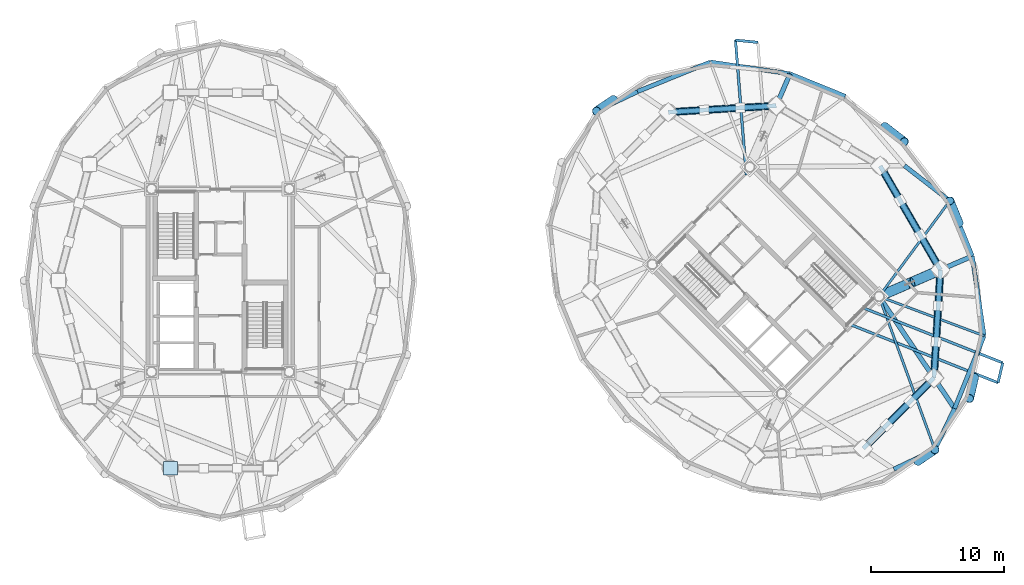
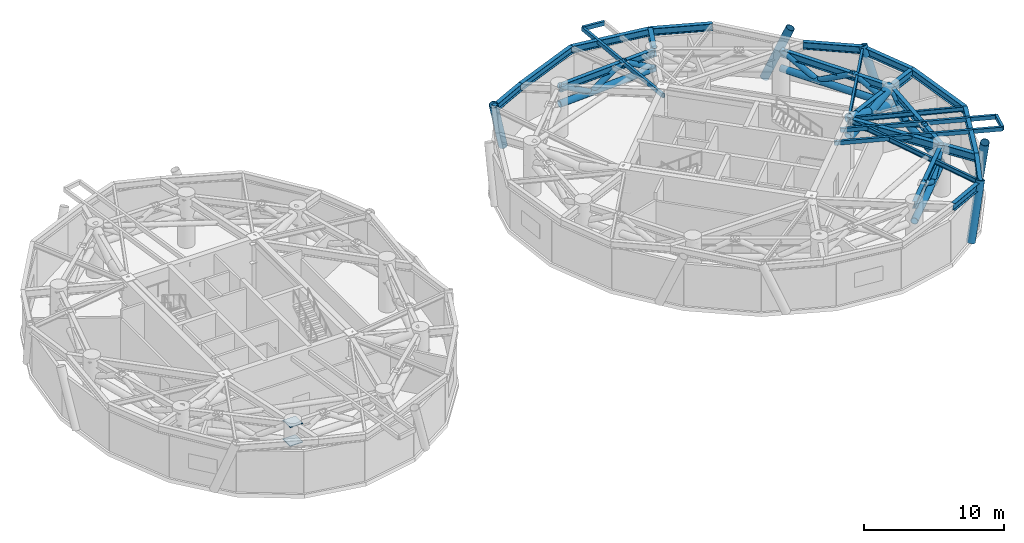
# One storey, part 5 of 16: 25 beams, 23 members, 2 plates.
"""IFC4 building model written with IfcOpenShell, lengths in metres."""

from ifc_helpers import new_model, si_unit, direction, frame, origin, origin_2d, place, context, subcontext, project, spatial, rectangle, hollow_rectangle, hollow_circle, i_section, extrude, source, transform, mapped, material, layer, layer_set, material_profile, profile_set, type_object, element, save


model = new_model("IFC4")

# Units and contexts
model_context = context("Model", 3, precision=1e-05, world=origin(), true_north=direction((0.0, 1.0)))
body_context = subcontext(model_context, "Body", "Model", "MODEL_VIEW")
ifc_project = project(units=[si_unit("LENGTHUNIT", "METRE"), si_unit("AREAUNIT", "SQUARE_METRE"), si_unit("VOLUMEUNIT", "CUBIC_METRE"), si_unit("PLANEANGLEUNIT", "RADIAN"), si_unit("MASSUNIT", "GRAM", prefix="KILO")], contexts=[model_context])

# Site, building, storey
site_placement = place(None, origin())
site = spatial("IfcSite", under=ifc_project, at=site_placement, CompositionType="ELEMENT")
building_placement = place(site_placement, origin())
building = spatial("IfcBuilding", under=site, at=building_placement, Name="Cununo Teusaquillo Station Towers", CompositionType="ELEMENT")
storey_placement = place(building_placement, frame((0.0, 0.0, 147.10009765625)))
storey = spatial("IfcBuildingStorey", under=building, at=storey_placement, Name="L46", CompositionType="ELEMENT", Elevation=147.10009765625)

# Beams
ifc_material_1 = material(Name="Steel EN 10025-2 S355J2", Category="steel")
ifc_material_profile_1 = material_profile(ifc_material_1, hollow_rectangle(XDim=0.199951171875, YDim=0.35009765625, WallThickness=0.013916015625, at=origin_2d()), Name="RHS 350x200x14")
ifc_profile_set_1 = profile_set([ifc_material_profile_1], Name="Steel EN 10025-2 S355J2")
beam_type_1 = type_object("IfcBeamType", Name="BM-BAL-CANT", PredefinedType="BEAM", material=ifc_profile_set_1)
beam_1_placement = place(storey_placement, frame((56.03515625, 32.439697265625, 4.10498046875), z_axis=(-0.079465216198, 0.996837639445, 0.0), x_axis=(-0.996837639445, -0.079465216198, 0.0)))
element("IfcBeam", 1, at=beam_1_placement, inside=storey, type_object=beam_type_1, Name="L46 Tower B Balcony Cantilever Bracket 1B", PredefinedType="BEAM", context=body_context, shape_type="SweptSolid", body=[
    extrude(hollow_rectangle(XDim=0.199951171875, YDim=0.35009765625, WallThickness=0.013916015625, at=origin_2d()), origin(), (0.0, 0.0, 1.0), 10.154052734375),
])
beam_2_placement = place(storey_placement, frame((63.662109375, 21.257568359375, 4.10498046875), z_axis=(0.93054889278, -0.366167663982, 0.0), x_axis=(0.366167663982, 0.93054889278, 0.0)))
element("IfcBeam", 2, at=beam_2_placement, inside=storey, type_object=beam_type_1, Name="L46 Tower B Balcony Cantilever Bracket 2A", PredefinedType="BEAM", context=body_context, shape_type="SweptSolid", body=[
    extrude(hollow_rectangle(XDim=0.199951171875, YDim=0.35009765625, WallThickness=0.013916015625, at=origin_2d()), origin(), (0.0, 0.0, 1.0), 12.15087890625),
])
beam_3_placement = place(storey_placement, frame((64.835693359375, 22.43115234375, 4.10498046875), z_axis=(0.930555904619, -0.36614984416, 0.0), x_axis=(0.36614984416, 0.930555904619, 0.0)))
element("IfcBeam", 3, at=beam_3_placement, inside=storey, type_object=beam_type_1, Name="L46 Tower B Balcony Cantilever Bracket 2B", PredefinedType="BEAM", context=body_context, shape_type="SweptSolid", body=[
    extrude(hollow_rectangle(XDim=0.199951171875, YDim=0.35009765625, WallThickness=0.013916015625, at=origin_2d()), origin(), (0.0, 0.0, 1.0), 11.26513671875),
])
ifc_material_2 = material(Name="Steel ASTM A572 Grade 50", Category="steel")
ifc_material_profile_2 = material_profile(ifc_material_2, i_section(OverallWidth=0.180908203125, OverallDepth=0.4169921875, WebThickness=0.010986328125, FlangeThickness=0.018310546875, FilletRadius=0.012939453125, at=origin_2d()), Name="W16X57")
ifc_profile_set_2 = profile_set([ifc_material_profile_2], Name="Steel ASTM A572 Grade 50")
beam_type_2 = type_object("IfcBeamType", Name="BM-JOIST-1", PredefinedType="JOIST", material=ifc_profile_set_2)
beam_4_placement = place(storey_placement, frame((66.024169921875, 23.29443359375, 4.0712890625), z_axis=(0.34241791496, -0.939547748395, 0.0), x_axis=(0.939547748395, 0.34241791496, 0.0)))
element("IfcBeam", 4, at=beam_4_placement, inside=storey, type_object=beam_type_2, Name="L46 Tower B Radial Spandrel Joist V15", PredefinedType="JOIST", context=body_context, shape_type="SweptSolid", body=[
    extrude(i_section(OverallWidth=0.180908203125, OverallDepth=0.4169921875, WebThickness=0.010986328125, FlangeThickness=0.018310546875, FilletRadius=0.012939453125, at=origin_2d()), origin(), (0.0, 0.0, 1.0), 12.25634765625),
])
beam_5_placement = place(storey_placement, frame((66.024169921875, 23.29443359375, 4.0712890625), z_axis=(0.936244635323, -0.351348805076, 0.0), x_axis=(0.351348805076, 0.936244635323, 0.0)))
element("IfcBeam", 5, at=beam_5_placement, inside=storey, type_object=beam_type_2, Name="L46 Tower B Radial Spandrel Joist V17", PredefinedType="JOIST", context=body_context, shape_type="SweptSolid", body=[
    extrude(i_section(OverallWidth=0.180908203125, OverallDepth=0.4169921875, WebThickness=0.010986328125, FlangeThickness=0.018310546875, FilletRadius=0.012939453125, at=origin_2d()), origin(), (0.0, 0.0, 1.0), 8.4287109375),
])
beam_6_placement = place(storey_placement, frame((66.024169921875, 23.29443359375, 4.0712890625), z_axis=(0.594834179272, 0.803848430471, 0.0), x_axis=(-0.803848430471, 0.594834179272, 0.0)))
element("IfcBeam", 6, at=beam_6_placement, inside=storey, type_object=beam_type_2, Name="L46 Tower B Radial Spandrel Joist V19", PredefinedType="JOIST", context=body_context, shape_type="SweptSolid", body=[
    extrude(i_section(OverallWidth=0.180908203125, OverallDepth=0.4169921875, WebThickness=0.010986328125, FlangeThickness=0.018310546875, FilletRadius=0.012939453125, at=origin_2d()), origin(), (0.0, 0.0, 1.0), 8.936767578125),
])
ifc_material_3 = material(Name="Steel ASTM A572 Grade 50", Category="steel")
ifc_material_profile_3 = material_profile(ifc_material_3, i_section(OverallWidth=0.35498046875, OverallDepth=0.696044921875, WebThickness=0.015380859375, FlangeThickness=0.02490234375, FilletRadius=0.01806640625, at=origin_2d()), Name="W27X146")
ifc_profile_set_3 = profile_set([ifc_material_profile_3], Name="Steel ASTM A572 Grade 50")
beam_type_3 = type_object("IfcBeamType", Name="BM-PLNT-G1", PredefinedType="BEAM", material=ifc_profile_set_3)
beam_7_placement = place(storey_placement, frame((58.291015625, 37.63525390625, 3.931884765625), z_axis=(0.397431352311, 0.917631908883, 0.0), x_axis=(-0.917631908883, 0.397431352311, 0.0)))
element("IfcBeam", 7, at=beam_7_placement, inside=storey, type_object=beam_type_3, Name="L46 Tower B Perimeter Overhang Girder 02B", PredefinedType="BEAM", context=body_context, shape_type="SweptSolid", body=[
    extrude(i_section(OverallWidth=0.35498046875, OverallDepth=0.696044921875, WebThickness=0.015380859375, FlangeThickness=0.02490234375, FilletRadius=0.01806640625, at=origin_2d()), origin(), (0.0, 0.0, 1.0), 2.607177734375),
])
beam_8_placement = place(storey_placement, frame((66.024169921875, 23.29443359375, 3.931884765625), z_axis=(0.558570687133, -0.829456923219, 0.0), x_axis=(0.829456923219, 0.558570687133, 0.0)))
element("IfcBeam", 8, at=beam_8_placement, inside=storey, type_object=beam_type_3, Name="L46 Tower B Continuous Overhanging Radial Girder 09", PredefinedType="BEAM", context=body_context, shape_type="SweptSolid", body=[
    extrude(i_section(OverallWidth=0.35498046875, OverallDepth=0.696044921875, WebThickness=0.015380859375, FlangeThickness=0.02490234375, FilletRadius=0.01806640625, at=origin_2d()), origin(), (0.0, 0.0, 1.0), 10.1591796875),
])
beam_9_placement = place(storey_placement, frame((66.024169921875, 23.29443359375, 3.931884765625), z_axis=(0.917655964072, 0.397375806515, 0.0), x_axis=(-0.397375806515, 0.917655964072, 0.0)))
element("IfcBeam", 9, at=beam_9_placement, inside=storey, type_object=beam_type_3, Name="L46 Tower B Continuous Overhanging Radial Girder 10", PredefinedType="BEAM", context=body_context, shape_type="SweptSolid", body=[
    extrude(i_section(OverallWidth=0.35498046875, OverallDepth=0.696044921875, WebThickness=0.015380859375, FlangeThickness=0.02490234375, FilletRadius=0.01806640625, at=origin_2d()), origin(), (0.0, 0.0, 1.0), 7.6318359375),
])
ifc_material_4 = material(Name="Steel ASTM A572 Grade 50", Category="steel")
ifc_material_profile_4 = material_profile(ifc_material_4, i_section(OverallWidth=0.324951171875, OverallDepth=0.615966796875, WebThickness=0.013916015625, FlangeThickness=0.021484375, FilletRadius=0.01611328125, at=origin_2d()), Name="W24X117")
ifc_profile_set_4 = profile_set([ifc_material_profile_4], Name="Steel ASTM A572 Grade 50")
beam_type_4 = type_object("IfcBeamType", Name="BM-PLNT-G2", PredefinedType="BEAM", material=ifc_profile_set_4)
beam_10_placement = place(storey_placement, frame((58.291015625, 37.63525390625, 3.971923828125), z_axis=(-0.998190567048, -0.06012979176, 0.0), x_axis=(0.06012979176, -0.998190567048, 0.0)))
element("IfcBeam", 10, at=beam_10_placement, inside=storey, type_object=beam_type_4, Name="L46 Tower B Structural Column Ring Girder 02", PredefinedType="BEAM", context=body_context, shape_type="SweptSolid", body=[
    extrude(i_section(OverallWidth=0.324951171875, OverallDepth=0.615966796875, WebThickness=0.013916015625, FlangeThickness=0.021484375, FilletRadius=0.01611328125, at=origin_2d()), origin(), (0.0, 0.0, 1.0), 8.132568359375),
])
beam_11_placement = place(storey_placement, frame((64.826904296875, 11.853759765625, 3.971923828125), z_axis=(0.707106781187, 0.707106781187, 0.0), x_axis=(-0.707106781187, 0.707106781187, 0.0)))
element("IfcBeam", 11, at=beam_11_placement, inside=storey, type_object=beam_type_4, Name="L46 Tower B Structural Column Ring Girder 08", PredefinedType="BEAM", context=body_context, shape_type="SweptSolid", body=[
    extrude(i_section(OverallWidth=0.324951171875, OverallDepth=0.615966796875, WebThickness=0.013916015625, FlangeThickness=0.021484375, FilletRadius=0.01611328125, at=origin_2d()), origin(), (0.0, 0.0, 1.0), 7.522705078125),
])
beam_12_placement = place(storey_placement, frame((70.146240234375, 17.173095703125, 3.971923828125), z_axis=(0.06012979176, 0.998190567048, 0.0), x_axis=(-0.998190567048, 0.06012979176, 0.0)))
element("IfcBeam", 12, at=beam_12_placement, inside=storey, type_object=beam_type_4, Name="L46 Tower B Structural Column Ring Girder 09", PredefinedType="BEAM", context=body_context, shape_type="SweptSolid", body=[
    extrude(i_section(OverallWidth=0.324951171875, OverallDepth=0.615966796875, WebThickness=0.013916015625, FlangeThickness=0.021484375, FilletRadius=0.01611328125, at=origin_2d()), origin(), (0.0, 0.0, 1.0), 8.132568359375),
])
beam_13_placement = place(storey_placement, frame((70.63525390625, 25.291015625, 3.971923828125), z_axis=(-0.501311121078, 0.865267103202, 0.0), x_axis=(-0.865267103202, -0.501311121078, 0.0)))
element("IfcBeam", 13, at=beam_13_placement, inside=storey, type_object=beam_type_4, Name="L46 Tower B Structural Column Ring Girder 10", PredefinedType="BEAM", context=body_context, shape_type="SweptSolid", body=[
    extrude(i_section(OverallWidth=0.324951171875, OverallDepth=0.615966796875, WebThickness=0.013916015625, FlangeThickness=0.021484375, FilletRadius=0.01611328125, at=origin_2d()), origin(), (0.0, 0.0, 1.0), 9.032958984375),
])
beam_14_placement = place(storey_placement, frame((63.478271484375, 38.340087890625, 3.971923828125), z_axis=(-0.926380466449, 0.376588942192, 0.0), x_axis=(-0.376588942192, -0.926380466449, 0.0)))
element("IfcBeam", 14, at=beam_14_placement, inside=storey, type_object=beam_type_4, Name="L46 Tower B Spandrel Ring Beam 02", PredefinedType="BEAM", context=body_context, shape_type="SweptSolid", body=[
    extrude(i_section(OverallWidth=0.324951171875, OverallDepth=0.615966796875, WebThickness=0.013916015625, FlangeThickness=0.021484375, FilletRadius=0.01611328125, at=origin_2d()), origin(), (0.0, 0.0, 1.0), 4.48095703125),
])
beam_15_placement = place(storey_placement, frame((59.3271484375, 40.027587890625, 3.971923828125), z_axis=(-0.989205409176, 0.146535519435, 0.0), x_axis=(-0.146535519435, -0.989205409176, 0.0)))
element("IfcBeam", 15, at=beam_15_placement, inside=storey, type_object=beam_type_4, Name="L46 Tower B Spandrel Ring Beam 03", PredefinedType="BEAM", context=body_context, shape_type="SweptSolid", body=[
    extrude(i_section(OverallWidth=0.324951171875, OverallDepth=0.615966796875, WebThickness=0.013916015625, FlangeThickness=0.021484375, FilletRadius=0.01611328125, at=origin_2d()), origin(), (0.0, 0.0, 1.0), 6.0595703125),
])
beam_16_placement = place(storey_placement, frame((53.3330078125, 40.91552734375, 3.971923828125), z_axis=(-0.926667183359, -0.375882869104, 0.0), x_axis=(0.375882869104, -0.926667183359, 0.0)))
element("IfcBeam", 16, at=beam_16_placement, inside=storey, type_object=beam_type_4, Name="L46 Tower B Spandrel Ring Beam 04", PredefinedType="BEAM", context=body_context, shape_type="SweptSolid", body=[
    extrude(i_section(OverallWidth=0.324951171875, OverallDepth=0.615966796875, WebThickness=0.013916015625, FlangeThickness=0.021484375, FilletRadius=0.01611328125, at=origin_2d()), origin(), (0.0, 0.0, 1.0), 5.8974609375),
])
for number, where, z_axis, x_axis, name in (
    (17, (47.867919921875, 38.69873046875, 3.971923828125), (-0.902077503555, -0.431574069634, 0.0), (0.431574069634, -0.902077503555, 0.0), "L46 Tower B Spandrel Ring Beam 05"),
    (18, (67.132080078125, 10.30126953125, 3.971923828125), (0.902077503555, 0.431574069634, 0.0), (-0.431574069634, 0.902077503555, 0.0), "L46 Tower B Spandrel Ring Beam 15"),
    (19, (70.220947265625, 11.779052734375, 3.971923828125), (0.431574069634, 0.902077503555, 0.0), (-0.902077503555, 0.431574069634, 0.0), "L46 Tower B Spandrel Ring Beam 16"),
):
    element("IfcBeam", number, at=place(storey_placement, frame(where, z_axis=z_axis, x_axis=x_axis)), inside=storey, type_object=beam_type_4, Name=name, PredefinedType="BEAM", context=body_context, shape_type="SweptSolid", body=[
        extrude(i_section(OverallWidth=0.324951171875, OverallDepth=0.615966796875, WebThickness=0.013916015625, FlangeThickness=0.021484375, FilletRadius=0.01611328125, at=origin_2d()), origin(), (0.0, 0.0, 1.0), 3.424072265625),
    ])
beam_17_placement = place(storey_placement, frame((71.69873046875, 14.867919921875, 3.971923828125), z_axis=(0.375882869104, 0.926667183359, 0.0), x_axis=(-0.926667183359, 0.375882869104, 0.0)))
element("IfcBeam", 20, at=beam_17_placement, inside=storey, type_object=beam_type_4, Name="L46 Tower B Spandrel Ring Beam 17", PredefinedType="BEAM", context=body_context, shape_type="SweptSolid", body=[
    extrude(i_section(OverallWidth=0.324951171875, OverallDepth=0.615966796875, WebThickness=0.013916015625, FlangeThickness=0.021484375, FilletRadius=0.01611328125, at=origin_2d()), origin(), (0.0, 0.0, 1.0), 5.8974609375),
])
beam_18_placement = place(storey_placement, frame((73.91552734375, 20.3330078125, 3.971923828125), z_axis=(-0.146535519435, 0.989205409176, 0.0), x_axis=(-0.989205409176, -0.146535519435, 0.0)))
element("IfcBeam", 21, at=beam_18_placement, inside=storey, type_object=beam_type_4, Name="L46 Tower B Spandrel Ring Beam 18", PredefinedType="BEAM", context=body_context, shape_type="SweptSolid", body=[
    extrude(i_section(OverallWidth=0.324951171875, OverallDepth=0.615966796875, WebThickness=0.013916015625, FlangeThickness=0.021484375, FilletRadius=0.01611328125, at=origin_2d()), origin(), (0.0, 0.0, 1.0), 6.0595703125),
])
beam_19_placement = place(storey_placement, frame((73.027587890625, 26.3271484375, 3.971923828125), z_axis=(-0.376588942192, 0.926380466449, 0.0), x_axis=(-0.926380466449, -0.376588942192, 0.0)))
element("IfcBeam", 22, at=beam_19_placement, inside=storey, type_object=beam_type_4, Name="L46 Tower B Spandrel Ring Beam 19", PredefinedType="BEAM", context=body_context, shape_type="SweptSolid", body=[
    extrude(i_section(OverallWidth=0.324951171875, OverallDepth=0.615966796875, WebThickness=0.013916015625, FlangeThickness=0.021484375, FilletRadius=0.01611328125, at=origin_2d()), origin(), (0.0, 0.0, 1.0), 4.48095703125),
])
beam_20_placement = place(storey_placement, frame((71.340087890625, 30.478271484375, 3.971923828125), z_axis=(-0.789900716386, 0.613234749711, 0.0), x_axis=(-0.613234749711, -0.789900716386, 0.0)))
element("IfcBeam", 23, at=beam_20_placement, inside=storey, type_object=beam_type_4, Name="L46 Tower B Spandrel Ring Beam 20", PredefinedType="BEAM", context=body_context, shape_type="SweptSolid", body=[
    extrude(i_section(OverallWidth=0.324951171875, OverallDepth=0.615966796875, WebThickness=0.013916015625, FlangeThickness=0.021484375, FilletRadius=0.01611328125, at=origin_2d()), origin(), (0.0, 0.0, 1.0), 4.3115234375),
])
ifc_material_5 = material(Name="Steel EN 10025-2 S355J2", Category="steel")
ifc_material_profile_5 = material_profile(ifc_material_5, hollow_rectangle(XDim=0.199951171875, YDim=0.35009765625, WallThickness=0.013916015625, at=origin_2d()), Name="RHS 350x200x14")
ifc_profile_set_5 = profile_set([ifc_material_profile_5], Name="Steel EN 10025-2 S355J2")
beam_type_5 = type_object("IfcBeamType", Name="BM-STAIR-TRIM", PredefinedType="BEAM", material=ifc_profile_set_5)
beam_21_placement = place(storey_placement, frame((56.905517578125, 42.3955078125, 4.114990234375), z_axis=(-0.995137076622, 0.098499739753, 0.0), x_axis=(-0.098499739753, -0.995137076622, 0.0)))
element("IfcBeam", 24, at=beam_21_placement, inside=storey, type_object=beam_type_5, Name="L46 Tower B Balcony Edge Trimmer Beam 1", PredefinedType="BEAM", context=body_context, shape_type="SweptSolid", body=[
    extrude(hollow_rectangle(XDim=0.199951171875, YDim=0.35009765625, WallThickness=0.013916015625, at=origin_2d()), origin(), (0.0, 0.0, 1.0), 1.685546875),
])
beam_22_placement = place(storey_placement, frame((74.968994140625, 16.808349609375, 4.114990234375), z_axis=(0.227269752297, 0.973831843642, 0.0), x_axis=(-0.973831843642, 0.227269752297, 0.0)))
element("IfcBeam", 25, at=beam_22_placement, inside=storey, type_object=beam_type_5, Name="L46 Tower B Balcony Edge Trimmer Beam 2", PredefinedType="BEAM", context=body_context, shape_type="SweptSolid", body=[
    extrude(hollow_rectangle(XDim=0.199951171875, YDim=0.35009765625, WallThickness=0.013916015625, at=origin_2d()), origin(), (0.0, 0.0, 1.0), 1.538330078125),
])

# Members
ifc_material_6 = material(Name="Steel EN 10025-2 S355J2", Category="steel")
ifc_material_profile_6 = material_profile(ifc_material_6, hollow_circle(Radius=0.279541015625, WallThickness=0.02001953125, at=origin_2d()), Name="CHS 559x20")
ifc_profile_set_6 = profile_set([ifc_material_profile_6], Name="Steel EN 10025-2 S355J2")
member_type_1 = type_object("IfcMemberType", Name="MBR-BELT-CH", PredefinedType="CHORD", material=ifc_profile_set_6)
member_1_placement = place(storey_placement, frame((58.291015625, 37.63525390625, 2.579833984375), z_axis=(-0.998190567048, -0.06012979176, 0.0), x_axis=(0.06012979176, -0.998190567048, 0.0)))
element("IfcMember", 26, at=member_1_placement, inside=storey, type_object=member_type_1, Name="L46 Tower B Belt Truss Lower Chord 02", PredefinedType="CHORD", context=body_context, shape_type="SweptSolid", body=[
    extrude(hollow_circle(Radius=0.279541015625, WallThickness=0.02001953125, at=origin_2d()), origin(), (0.0, 0.0, 1.0), 8.132568359375),
])
member_2_placement = place(storey_placement, frame((64.826904296875, 11.853759765625, 2.579833984375), z_axis=(0.707106781187, 0.707106781187, 0.0), x_axis=(-0.707106781187, 0.707106781187, 0.0)))
element("IfcMember", 27, at=member_2_placement, inside=storey, type_object=member_type_1, Name="L46 Tower B Belt Truss Lower Chord 08", PredefinedType="CHORD", context=body_context, shape_type="SweptSolid", body=[
    extrude(hollow_circle(Radius=0.279541015625, WallThickness=0.02001953125, at=origin_2d()), origin(), (0.0, 0.0, 1.0), 7.522705078125),
])
member_3_placement = place(storey_placement, frame((70.146240234375, 17.173095703125, 2.579833984375), z_axis=(0.06012979176, 0.998190567048, 0.0), x_axis=(-0.998190567048, 0.06012979176, 0.0)))
element("IfcMember", 28, at=member_3_placement, inside=storey, type_object=member_type_1, Name="L46 Tower B Belt Truss Lower Chord 09", PredefinedType="CHORD", context=body_context, shape_type="SweptSolid", body=[
    extrude(hollow_circle(Radius=0.279541015625, WallThickness=0.02001953125, at=origin_2d()), origin(), (0.0, 0.0, 1.0), 8.132568359375),
])
member_4_placement = place(storey_placement, frame((70.63525390625, 25.291015625, 2.579833984375), z_axis=(-0.501311121078, 0.865267103202, 0.0), x_axis=(-0.865267103202, -0.501311121078, 0.0)))
element("IfcMember", 29, at=member_4_placement, inside=storey, type_object=member_type_1, Name="L46 Tower B Belt Truss Lower Chord 10", PredefinedType="CHORD", context=body_context, shape_type="SweptSolid", body=[
    extrude(hollow_circle(Radius=0.279541015625, WallThickness=0.02001953125, at=origin_2d()), origin(), (0.0, 0.0, 1.0), 9.032958984375),
])
ifc_material_7 = material(Name="Steel EN 10025-2 S355J2", Category="steel")
ifc_material_profile_7 = material_profile(ifc_material_7, hollow_circle(Radius=0.228515625, WallThickness=0.01611328125, at=origin_2d()), Name="CHS 457x16")
ifc_profile_set_7 = profile_set([ifc_material_profile_7], Name="Steel EN 10025-2 S355J2")
member_type_2 = type_object("IfcMemberType", Name="MBR-BELT-WB", PredefinedType="BRACE", material=ifc_profile_set_7)
member_5_placement = place(storey_placement, frame((58.291015625, 37.63525390625, 2.579833984375), z_axis=(-0.856819030674, -0.051642615942, 0.513024549991), x_axis=(0.060163308645, -0.998188547466, 0.0)))
element("IfcMember", 30, at=member_5_placement, inside=storey, type_object=member_type_2, Name="L46 Tower B Belt Truss Warren Brace 02A", PredefinedType="BRACE", context=body_context, shape_type="SweptSolid", body=[
    extrude(hollow_circle(Radius=0.228515625, WallThickness=0.01611328125, at=origin_2d()), origin(), (0.0, 0.0, 1.0), 3.157958984375),
])
for number, where, z_axis, x_axis, name in (
    (31, (55.585205078125, 37.47216796875, 4.199951171875), (-0.856843000073, -0.051562096811, -0.512992615345), (0.060068168794, -0.998194277232, 0.0), "L46 Tower B Belt Truss Warren Brace 02B"),
    (32, (52.879150390625, 37.309326171875, 2.579833984375), (-0.856839582173, -0.051639195317, 0.512990569045), (0.060157900347, -0.998188873423, 0.0), "L46 Tower B Belt Truss Warren Brace 02C"),
):
    element("IfcMember", number, at=place(storey_placement, frame(where, z_axis=z_axis, x_axis=x_axis)), inside=storey, type_object=member_type_2, Name=name, PredefinedType="BRACE", context=body_context, shape_type="SweptSolid", body=[
        extrude(hollow_circle(Radius=0.228515625, WallThickness=0.01611328125, at=origin_2d()), origin(), (0.0, 0.0, 1.0), 3.158203125),
    ])
member_6_placement = place(storey_placement, frame((66.60009765625, 13.626708984375, 4.199951171875), z_axis=(0.593935178592, 0.593935178592, -0.542661964083), x_axis=(-0.707106781187, 0.707106781187, 0.0)))
element("IfcMember", 33, at=member_6_placement, inside=storey, type_object=member_type_2, Name="L46 Tower B Belt Truss Warren Brace 08B", PredefinedType="BRACE", context=body_context, shape_type="SweptSolid", body=[
    extrude(hollow_circle(Radius=0.228515625, WallThickness=0.01611328125, at=origin_2d()), origin(), (0.0, 0.0, 1.0), 2.985595703125),
])
member_7_placement = place(storey_placement, frame((68.373291015625, 15.39990234375, 2.579833984375), z_axis=(0.593882246304, 0.593964025737, 0.542688320913), x_axis=(-0.707155461561, 0.707058097461, 0.0)))
element("IfcMember", 34, at=member_7_placement, inside=storey, type_object=member_type_2, Name="L46 Tower B Belt Truss Warren Brace 08C", PredefinedType="BRACE", context=body_context, shape_type="SweptSolid", body=[
    extrude(hollow_circle(Radius=0.228515625, WallThickness=0.01611328125, at=origin_2d()), origin(), (0.0, 0.0, 1.0), 2.9853515625),
])
for number, where, z_axis, x_axis, name in (
    (35, (70.146240234375, 17.173095703125, 2.579833984375), (0.051639195317, 0.856839582173, 0.512990569045), (-0.998188873423, 0.060157900347, 0.0), "L46 Tower B Belt Truss Warren Brace 09A"),
    (36, (70.309326171875, 19.879150390625, 4.199951171875), (0.051562096811, 0.856843000073, -0.512992615345), (-0.998194277232, 0.060068168794, 0.0), "L46 Tower B Belt Truss Warren Brace 09B"),
):
    element("IfcMember", number, at=place(storey_placement, frame(where, z_axis=z_axis, x_axis=x_axis)), inside=storey, type_object=member_type_2, Name=name, PredefinedType="BRACE", context=body_context, shape_type="SweptSolid", body=[
        extrude(hollow_circle(Radius=0.228515625, WallThickness=0.01611328125, at=origin_2d()), origin(), (0.0, 0.0, 1.0), 3.158203125),
    ])
member_8_placement = place(storey_placement, frame((70.47216796875, 22.585205078125, 2.579833984375), z_axis=(0.051642615942, 0.856819030674, 0.513024549991), x_axis=(-0.998188547466, 0.060163308645, 0.0)))
element("IfcMember", 37, at=member_8_placement, inside=storey, type_object=member_type_2, Name="L46 Tower B Belt Truss Warren Brace 09C", PredefinedType="BRACE", context=body_context, shape_type="SweptSolid", body=[
    extrude(hollow_circle(Radius=0.228515625, WallThickness=0.01611328125, at=origin_2d()), origin(), (0.0, 0.0, 1.0), 3.157958984375),
])
member_9_placement = place(storey_placement, frame((70.63525390625, 25.291015625, 2.579833984375), z_axis=(-0.441465440579, 0.761979489221, 0.473809584939), x_axis=(-0.865268964153, -0.501307909048, 0.0)))
element("IfcMember", 38, at=member_9_placement, inside=storey, type_object=member_type_2, Name="L46 Tower B Belt Truss Warren Brace 10A", PredefinedType="BRACE", context=body_context, shape_type="SweptSolid", body=[
    extrude(hollow_circle(Radius=0.228515625, WallThickness=0.01611328125, at=origin_2d()), origin(), (0.0, 0.0, 1.0), 3.41943359375),
])
member_10_placement = place(storey_placement, frame((69.125732421875, 27.896484375, 4.199951171875), z_axis=(-0.441431970485, 0.761973561476, -0.473850300249), x_axis=(-0.865283758706, -0.501282372441, 0.0)))
element("IfcMember", 39, at=member_10_placement, inside=storey, type_object=member_type_2, Name="L46 Tower B Belt Truss Warren Brace 10B", PredefinedType="BRACE", context=body_context, shape_type="SweptSolid", body=[
    extrude(hollow_circle(Radius=0.228515625, WallThickness=0.01611328125, at=origin_2d()), origin(), (0.0, 0.0, 1.0), 3.4189453125),
])
member_11_placement = place(storey_placement, frame((67.616455078125, 30.501708984375, 2.579833984375), z_axis=(-0.441489459448, 0.761949542579, 0.47383536356), x_axis=(-0.86524858622, -0.50134308018, 0.0)))
element("IfcMember", 40, at=member_11_placement, inside=storey, type_object=member_type_2, Name="L46 Tower B Belt Truss Warren Brace 10C", PredefinedType="BRACE", context=body_context, shape_type="SweptSolid", body=[
    extrude(hollow_circle(Radius=0.228515625, WallThickness=0.01611328125, at=origin_2d()), origin(), (0.0, 0.0, 1.0), 3.419189453125),
])
ifc_material_8 = material(Name="Steel EN 10025-2 S355J2", Category="steel")
ifc_material_profile_8 = material_profile(ifc_material_8, hollow_circle(Radius=0.330078125, WallThickness=0.02490234375, at=origin_2d()), Name="CHS 660x25")
ifc_profile_set_8 = profile_set([ifc_material_profile_8], Name="Steel EN 10025-2 S355J2")
member_type_3 = type_object("IfcMemberType", Name="MBR-DIAG-Z2", PredefinedType="BRACE", material=ifc_profile_set_8)
member_12_placement = place(storey_placement, frame((66.43896484375, 36.0595703125, -0.14013671875), z_axis=(0.303789834703, -0.234042935494, 0.923545148153), x_axis=(0.610297820462, 0.792172058545, 0.0)))
element("IfcMember", 41, at=member_12_placement, inside=storey, type_object=member_type_3, Name="L46 Tower B Folded-Zigzag Diagrid Tube C00", PredefinedType="BRACE", context=body_context, shape_type="SweptSolid", body=[
    extrude(hollow_circle(Radius=0.330078125, WallThickness=0.02490234375, at=origin_2d()), origin(), (0.0, 0.0, 1.0), 4.87255859375),
])
for number, where, z_axis, x_axis, name in (
    (42, (46.059814453125, 38.086669921875, -0.14013671875), (-0.269173184829, -0.181945885132, 0.945749169417), (0.560009784908, -0.828485993127, 0.0), "L46 Tower B Folded-Zigzag Diagrid Tube C04"),
    (43, (68.940185546875, 10.913330078125, -0.14013671875), (0.269173184829, 0.181945885132, 0.945749169417), (-0.560009784908, 0.828485993127, 0.0), "L46 Tower B Folded-Zigzag Diagrid Tube C14"),
):
    element("IfcMember", number, at=place(storey_placement, frame(where, z_axis=z_axis, x_axis=x_axis)), inside=storey, type_object=member_type_3, Name=name, PredefinedType="BRACE", context=body_context, shape_type="SweptSolid", body=[
        extrude(hollow_circle(Radius=0.330078125, WallThickness=0.02490234375, at=origin_2d()), origin(), (0.0, 0.0, 1.0), 4.758056640625),
    ])
member_13_placement = place(storey_placement, frame((73.183837890625, 17.19189453125, -0.14013671875), z_axis=(-0.076508949241, -0.328508385528, 0.941397164497), x_axis=(0.973934946647, -0.226827510895, 0.0)))
element("IfcMember", 44, at=member_13_placement, inside=storey, type_object=member_type_3, Name="L46 Tower B Folded-Zigzag Diagrid Tube C16", PredefinedType="BRACE", context=body_context, shape_type="SweptSolid", body=[
    extrude(hollow_circle(Radius=0.330078125, WallThickness=0.02490234375, at=origin_2d()), origin(), (0.0, 0.0, 1.0), 4.780029296875),
])
member_14_placement = place(storey_placement, frame((72.029052734375, 28.802978515625, -0.14013671875), z_axis=(-0.142028105507, 0.345356789508, 0.927661956311), x_axis=(-0.924845484437, -0.380343042419, 0.0)))
element("IfcMember", 45, at=member_14_placement, inside=storey, type_object=member_type_3, Name="L46 Tower B Folded-Zigzag Diagrid Tube C18", PredefinedType="BRACE", context=body_context, shape_type="SweptSolid", body=[
    extrude(hollow_circle(Radius=0.330078125, WallThickness=0.02490234375, at=origin_2d()), origin(), (0.0, 0.0, 1.0), 4.850830078125),
])
ifc_material_9 = material(Name="Steel EN 10025-2 S355J2", Category="steel")
ifc_material_profile_9 = material_profile(ifc_material_9, hollow_circle(Radius=0.3798828125, WallThickness=0.031982421875, at=origin_2d()), Name="CHS 760x32")
ifc_profile_set_9 = profile_set([ifc_material_profile_9], Name="Steel EN 10025-2 S355J2")
member_type_4 = type_object("IfcMemberType", Name="MBR-OUTR-1", PredefinedType="STRUT", material=ifc_profile_set_9)
member_15_placement = place(storey_placement, frame((66.024169921875, 23.29443359375, 2.579833984375), z_axis=(0.873392583665, 0.37817570547, 0.306868914343), x_axis=(-0.397346986387, 0.917668443616, 0.0)))
element("IfcMember", 46, at=member_15_placement, inside=storey, type_object=member_type_4, Name="L46 Tower B Outrigger Continuous Diagonal 4A", PredefinedType="STRUT", context=body_context, shape_type="SweptSolid", body=[
    extrude(hollow_circle(Radius=0.3798828125, WallThickness=0.031982421875, at=origin_2d()), origin(), (0.0, 0.0, 1.0), 5.279541015625),
])
member_16_placement = place(storey_placement, frame((66.024169921875, 23.29443359375, 4.199951171875), z_axis=(0.873411662832, 0.378156220238, -0.306838622609), x_axis=(-0.39732243629, 0.917679073326, 0.0)))
element("IfcMember", 47, at=member_16_placement, inside=storey, type_object=member_type_4, Name="L46 Tower B Outrigger Split Upper Strut 4B1", PredefinedType="STRUT", context=body_context, shape_type="SweptSolid", body=[
    extrude(hollow_circle(Radius=0.3798828125, WallThickness=0.031982421875, at=origin_2d()), origin(), (0.0, 0.0, 1.0), 2.399658203125),
])
member_17_placement = place(storey_placement, frame((68.539306640625, 24.383544921875, 3.31640625), z_axis=(0.873384394451, 0.378144413998, -0.30693077671), x_axis=(-0.39732243629, 0.917679073326, 0.0)))
element("IfcMember", 48, at=member_17_placement, inside=storey, type_object=member_type_4, Name="L46 Tower B Outrigger Split Lower Strut 4B2", PredefinedType="STRUT", context=body_context, shape_type="SweptSolid", body=[
    extrude(hollow_circle(Radius=0.3798828125, WallThickness=0.031982421875, at=origin_2d()), origin(), (0.0, 0.0, 1.0), 2.39990234375),
])

# Plates
ifc_material_10 = material(Name="Steel ASTM A572 Grade 50", Category="steel")
ifc_layer = layer(ifc_material_10, 0.054931640625)
ifc_layer_set = layer_set([ifc_layer], Name="Steel ASTM A572 Grade 50")
plate_type = type_object("IfcPlateType", Name="PLT-NODE-OTN1", PredefinedType="USERDEFINED", material=ifc_layer_set)
shared_shape = source(origin(), body_context, "Body", "SweptSolid", [
    extrude(rectangle(XDim=1.050048828125, YDim=1.050048828125, at=origin_2d()), origin(), (0.0, 0.0, 1.0), 0.054931640625),
])
for number, where, z_axis, x_axis, name in (
    (49, (12.738525390625, 10.376708984375, 2.55224609375), (0.0, 0.0, 1.0), (1.0, 0.0, 0.0), "L46 Tower A Belt Truss Column Gusset 08B"),
    (50, (12.738525390625, 10.376708984375, 4.17236328125), (0.0, 0.0, 1.0), (1.0, 0.0, 0.0), "L46 Tower A Belt Truss Column Gusset 08T"),
):
    element("IfcPlate", number, at=place(storey_placement, frame(where, z_axis=z_axis, x_axis=x_axis)), inside=storey, type_object=plate_type, Name=name, ObjectType="GUSSET PLATE", PredefinedType="USERDEFINED", context=body_context, shape_type="MappedRepresentation", body=[
        mapped(shared_shape, transform((0.0, 0.0, 0.0), x_axis=(1.0, 0.0, 0.0), y_axis=(0.0, 1.0, 0.0), z_axis=(0.0, 0.0, 1.0), scale=1.0)),
    ])

save(model, "model.ifc")
